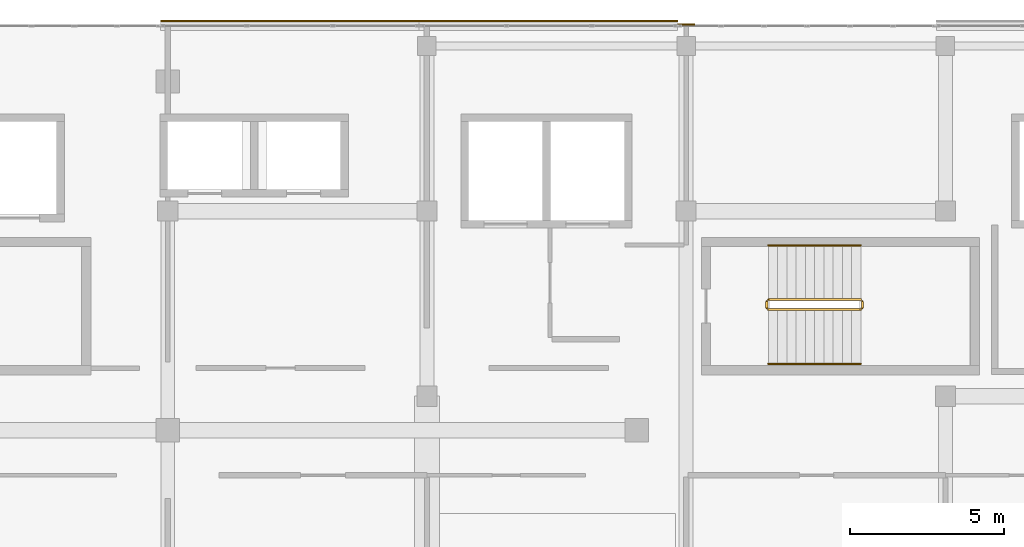
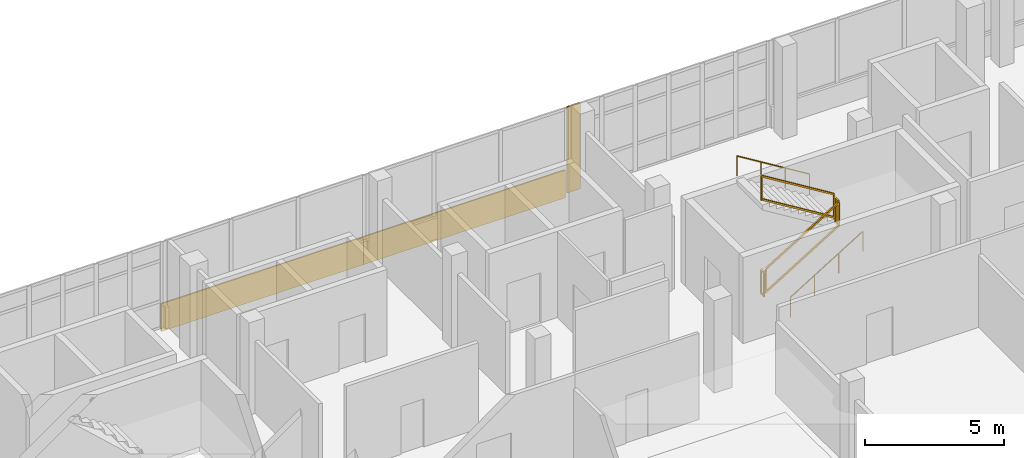
# One storey, part 76 of 78: 6 railings, 3 coverings.
"""IFC4 building model written with IfcOpenShell, lengths in metres."""

from ifc_helpers import new_model, si_unit, direction, frame, origin, origin_2d, place, context, subcontext, project, spatial, rectangle, circle, extrude, material, layer, layer_set, type_object, element, save


model = new_model("IFC4")

# Units and contexts
model_context = context("Model", 3, precision=1e-05, world=origin(), true_north=direction((0.0, 1.0)))
body_context = subcontext(model_context, "Body", "Model", "MODEL_VIEW")
ifc_project = project(units=[si_unit("LENGTHUNIT", "METRE"), si_unit("AREAUNIT", "SQUARE_METRE"), si_unit("VOLUMEUNIT", "CUBIC_METRE"), si_unit("PLANEANGLEUNIT", "RADIAN"), si_unit("MASSUNIT", "GRAM", prefix="KILO")], contexts=[model_context])

# Site, building, storey
site_placement = place(None, origin())
site = spatial("IfcSite", under=ifc_project, at=site_placement, CompositionType="ELEMENT")
building_placement = place(site_placement, origin())
building = spatial("IfcBuilding", under=site, at=building_placement, Name="Selatvlak General Hospital", CompositionType="ELEMENT")
storey_placement = place(building_placement, frame((0.0, 0.0, 23.25)))
storey = spatial("IfcBuildingStorey", under=building, at=storey_placement, Name="L05", CompositionType="ELEMENT", Elevation=23.25)

# Coverings
ifc_material_1 = material(Name="White Bauhaus fair-faced cladding panel")
ifc_layer = layer(ifc_material_1, 0.054931640625, Name="White Bauhaus fair-faced cladding panel")
ifc_layer_set = layer_set([ifc_layer], Name="White Bauhaus fair-faced cladding panel")
covering_type = type_object("IfcCoveringType", Name="COV-WHT1", PredefinedType="CLADDING", material=ifc_layer_set)
for number, where, z_axis, x_axis, name in (
    (1, (119.156982421875, 120.1650390625, -0.27978515625), (0.0, 0.0, 1.0), (1.0, 0.0, 0.0), "L05 Bauhaus horizontal white spandrel band 0412"),
    (2, (127.535888671875, 120.1650390625, -0.27978515625), (0.0, 0.0, 1.0), (1.0, 0.0, 0.0), "L05 Bauhaus horizontal white spandrel band 0413"),
):
    element("IfcCovering", number, at=place(storey_placement, frame(where, z_axis=z_axis, x_axis=x_axis)), inside=storey, type_object=covering_type, Name=name, PredefinedType="CLADDING", context=body_context, shape_type="SweptSolid", body=[
        extrude(rectangle(XDim=8.37890625, YDim=0.054931640625, at=origin_2d()), origin(), (0.0, 0.0, 1.0), 1.219970703125),
    ])
covering_placement = place(storey_placement, frame((132.0009765625, 120.044921875, -0.00048828125), z_axis=(0.0, 0.0, 1.0), x_axis=(1.0, 0.0, 0.0)))
element("IfcCovering", 3, at=covering_placement, inside=storey, type_object=covering_type, Name="L05 Bauhaus vertical core pilaster 0414", PredefinedType="CLADDING", context=body_context, shape_type="SweptSolid", body=[
    extrude(rectangle(XDim=0.550048828125, YDim=0.054931640625, at=origin_2d()), origin(), (0.0, 0.0, 1.0), 3.77490234375),
])

# Railings
ifc_material_2 = material(Name="Stainless steel 316 stair guard", Category="steel")
railing_type_1 = type_object("IfcRailingType", Name="RAIL-STG", PredefinedType="GUARDRAIL", material=ifc_material_2)
railing_1_placement = place(storey_placement, frame((134.659912109375, 110.81005859375, 0.18408203125)))
element("IfcRailing", 4, at=railing_1_placement, inside=storey, type_object=railing_type_1, Name="L05 ST-04 stair guard 1", PredefinedType="GUARDRAIL", context=body_context, shape_type="SweptSolid", body=[
    extrude(rectangle(XDim=0.068115234375, YDim=0.068115234375, at=origin_2d()), frame((0.00244140625, 0.0, 1.067626953125), z_axis=(0.852333972304, 0.0, 0.522997896417), x_axis=(0.0, 1.0, 0.0)), (0.0, 0.0, 1.0), 3.513916015625),
    extrude(rectangle(XDim=0.068115234375, YDim=0.068115234375, at=origin_2d()), frame((0.00244140625, 0.0, 0.050537109375), z_axis=(0.852333972304, 0.0, 0.522997896417), x_axis=(0.0, 1.0, 0.0)), (0.0, 0.0, 1.0), 3.513916015625),
    extrude(rectangle(XDim=0.055908203125, YDim=0.055908203125, at=origin_2d()), origin(), (0.0, 0.0, 1.0), 1.029052734375),
    extrude(rectangle(XDim=0.055908203125, YDim=0.055908203125, at=origin_2d()), frame((3.0, 0.0, 1.8408203125)), (0.0, 0.0, 1.0), 1.029052734375),
])
railing_2_placement = place(storey_placement, frame((137.7099609375, 110.860107421875, 2.02490234375)))
element("IfcRailing", 5, at=railing_2_placement, inside=storey, type_object=railing_type_1, Name="L05 ST-04 stair guard 2", PredefinedType="GUARDRAIL", context=body_context, shape_type="SweptSolid", body=[
    extrude(rectangle(XDim=0.068115234375, YDim=0.068115234375, at=origin_2d()), frame((0.0, 0.0029296875, 1.06591796875), z_axis=(0.0, 1.0, 0.0), x_axis=(-1.0, 0.0, 0.0)), (0.0, 0.0, 1.0), 0.214111328125),
    extrude(rectangle(XDim=0.068115234375, YDim=0.068115234375, at=origin_2d()), frame((0.0, 0.0029296875, 0.049072265625), z_axis=(0.0, 1.0, 0.0), x_axis=(-1.0, 0.0, 0.0)), (0.0, 0.0, 1.0), 0.214111328125),
    extrude(rectangle(XDim=0.055908203125, YDim=0.055908203125, at=origin_2d()), origin(), (0.0, 0.0, 1.0), 1.029052734375),
    extrude(rectangle(XDim=0.055908203125, YDim=0.055908203125, at=origin_2d()), frame((0.0, 0.219970703125, 0.0)), (0.0, 0.0, 1.0), 1.029052734375),
])
railing_3_placement = place(storey_placement, frame((137.659912109375, 111.1298828125, 2.208984375)))
element("IfcRailing", 6, at=railing_3_placement, inside=storey, type_object=railing_type_1, Name="L05 ST-04 stair guard 3", PredefinedType="GUARDRAIL", context=body_context, shape_type="SweptSolid", body=[
    extrude(rectangle(XDim=0.068115234375, YDim=0.068115234375, at=origin_2d()), frame((-0.00244140625, 0.0, 1.067626953125), z_axis=(-0.852303052018, 0.0, 0.52304828412), x_axis=(0.0, -1.0, 0.0)), (0.0, 0.0, 1.0), 3.513916015625),
    extrude(rectangle(XDim=0.068115234375, YDim=0.068115234375, at=origin_2d()), frame((-0.00244140625, 0.0, 0.050537109375), z_axis=(-0.852303052018, 0.0, 0.52304828412), x_axis=(0.0, -1.0, 0.0)), (0.0, 0.0, 1.0), 3.513916015625),
    extrude(rectangle(XDim=0.055908203125, YDim=0.055908203125, at=origin_2d()), origin(), (0.0, 0.0, 1.0), 1.029052734375),
    extrude(rectangle(XDim=0.055908203125, YDim=0.055908203125, at=origin_2d()), frame((-3.0, 0.0, 1.841064453125)), (0.0, 0.0, 1.0), 1.029052734375),
])
railing_4_placement = place(storey_placement, frame((134.610107421875, 110.860107421875, 0.0)))
element("IfcRailing", 7, at=railing_4_placement, inside=storey, type_object=railing_type_1, Name="L05 ST-04 stair guard 4", PredefinedType="GUARDRAIL", context=body_context, shape_type="SweptSolid", body=[
    extrude(rectangle(XDim=0.068115234375, YDim=0.068115234375, at=origin_2d()), frame((0.0, 0.0029296875, 1.06591796875), z_axis=(0.0, 1.0, 0.0), x_axis=(-1.0, 0.0, 0.0)), (0.0, 0.0, 1.0), 0.214111328125),
    extrude(rectangle(XDim=0.068115234375, YDim=0.068115234375, at=origin_2d()), frame((0.0, 0.0029296875, 0.049072265625), z_axis=(0.0, 1.0, 0.0), x_axis=(-1.0, 0.0, 0.0)), (0.0, 0.0, 1.0), 0.214111328125),
    extrude(rectangle(XDim=0.055908203125, YDim=0.055908203125, at=origin_2d()), origin(), (0.0, 0.0, 1.0), 1.029052734375),
    extrude(rectangle(XDim=0.055908203125, YDim=0.055908203125, at=origin_2d()), frame((0.0, 0.219970703125, 0.0)), (0.0, 0.0, 1.0), 1.029052734375),
])
ifc_material_3 = material(Name="Stainless steel 316 handrail", Category="steel")
railing_type_2 = type_object("IfcRailingType", Name="RAIL-STH", PredefinedType="HANDRAIL", material=ifc_material_3)
railing_5_placement = place(storey_placement, frame((134.659912109375, 109.050048828125, 0.18408203125)))
element("IfcRailing", 8, at=railing_5_placement, inside=storey, type_object=railing_type_2, Name="L05 ST-04 stair handrail 1", PredefinedType="HANDRAIL", context=body_context, shape_type="SweptSolid", body=[
    extrude(circle(Radius=0.02392578125, at=origin_2d()), frame((0.00244140625, 0.0, 0.87744140625), z_axis=(0.852333972304, 0.0, 0.522997896417), x_axis=(0.0, 1.0, 0.0)), (0.0, 0.0, 1.0), 3.513916015625),
    extrude(circle(Radius=0.02099609375, at=origin_2d()), origin(), (0.0, 0.0, 1.0), 0.848876953125),
    extrude(circle(Radius=0.02099609375, at=origin_2d()), frame((1.0, 0.0, 0.613525390625)), (0.0, 0.0, 1.0), 0.848876953125),
    extrude(circle(Radius=0.02099609375, at=origin_2d()), frame((2.0, 0.0, 1.227294921875)), (0.0, 0.0, 1.0), 0.848876953125),
    extrude(circle(Radius=0.02099609375, at=origin_2d()), frame((3.0, 0.0, 1.8408203125)), (0.0, 0.0, 1.0), 0.848876953125),
])
railing_6_placement = place(storey_placement, frame((137.659912109375, 112.889892578125, 2.208984375)))
element("IfcRailing", 9, at=railing_6_placement, inside=storey, type_object=railing_type_2, Name="L05 ST-04 stair handrail 2", PredefinedType="HANDRAIL", context=body_context, shape_type="SweptSolid", body=[
    extrude(circle(Radius=0.02392578125, at=origin_2d()), frame((-0.00244140625, 0.0, 0.87744140625), z_axis=(-0.852303052018, 0.0, 0.52304828412), x_axis=(0.0, -1.0, 0.0)), (0.0, 0.0, 1.0), 3.513916015625),
    extrude(circle(Radius=0.02099609375, at=origin_2d()), origin(), (0.0, 0.0, 1.0), 0.848876953125),
    extrude(circle(Radius=0.02099609375, at=origin_2d()), frame((-1.0, 0.0, 0.61376953125)), (0.0, 0.0, 1.0), 0.848876953125),
    extrude(circle(Radius=0.02099609375, at=origin_2d()), frame((-2.0, 0.0, 1.227294921875)), (0.0, 0.0, 1.0), 0.848876953125),
    extrude(circle(Radius=0.02099609375, at=origin_2d()), frame((-3.0, 0.0, 1.841064453125)), (0.0, 0.0, 1.0), 0.848876953125),
])

save(model, "model.ifc")
